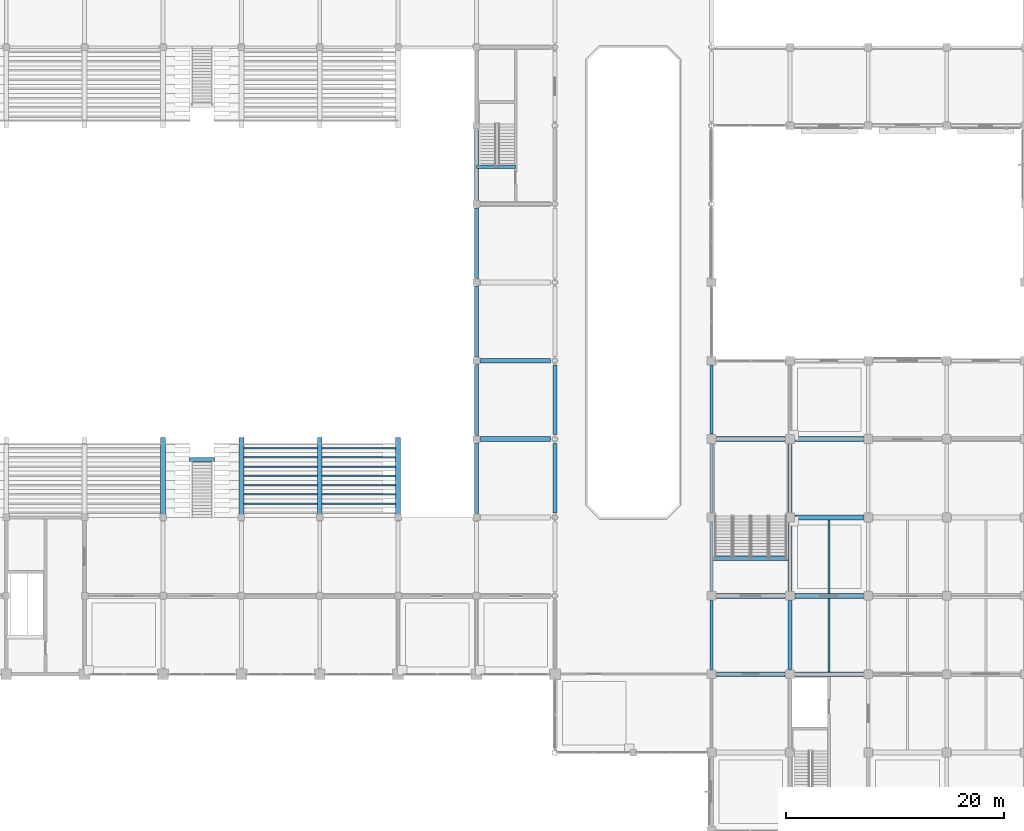
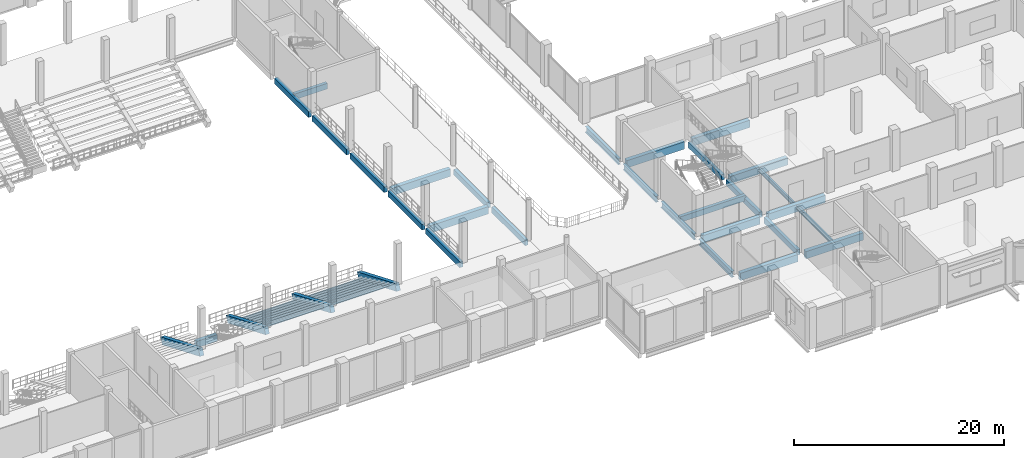
# One storey, part 19 of 99: 39 beams.
"""IFC4 building model written with IfcOpenShell, lengths in metres."""

from ifc_helpers import new_model, si_unit, direction, frame, origin, origin_2d, place, context, subcontext, project, spatial, rectangle, i_section, extrude, material, material_profile, profile_set, type_object, element, save


model = new_model("IFC4")

# Units and contexts
model_context = context("Model", 3, precision=1e-05, world=origin(), true_north=direction((0.0, 1.0)))
body_context = subcontext(model_context, "Body", "Model", "MODEL_VIEW")
ifc_project = project(units=[si_unit("LENGTHUNIT", "METRE"), si_unit("AREAUNIT", "SQUARE_METRE"), si_unit("VOLUMEUNIT", "CUBIC_METRE"), si_unit("PLANEANGLEUNIT", "RADIAN"), si_unit("MASSUNIT", "GRAM", prefix="KILO")], contexts=[model_context])

# Site, building, storey
site_placement = place(None, origin())
site = spatial("IfcSite", under=ifc_project, at=site_placement, CompositionType="ELEMENT")
building_placement = place(site_placement, origin())
building = spatial("IfcBuilding", under=site, at=building_placement, Name="Vesperath Aquatics Centre", CompositionType="ELEMENT")
storey_placement = place(building_placement, frame((0.0, 0.0, 5.39990234375)))
storey = spatial("IfcBuildingStorey", under=building, at=storey_placement, Name="L01", CompositionType="ELEMENT", Elevation=5.39990234375)

# Beams
ifc_material_1 = material(Name="Concrete C35", Category="concrete")
ifc_material_profile_1 = material_profile(ifc_material_1, rectangle(XDim=0.449951171875, YDim=0.85009765625, at=origin_2d()), Name="RC 450x850")
ifc_profile_set_1 = profile_set([ifc_material_profile_1], Name="Concrete C35")
beam_type_1 = type_object("IfcBeamType", Name="BM-G03", PredefinedType="BEAM", material=ifc_profile_set_1)
for number, where, z_axis, x_axis, name in (
    (1, (93.949951171875, 36.0, -0.684814453125), (1.0, 0.0, 0.0), (0.0, 1.0, 0.0), "Floor Girder B03 L01 F 14-15"),
    (2, (93.949951171875, 43.199951171875, -0.684814453125), (1.0, 0.0, 0.0), (0.0, 1.0, 0.0), "Floor Girder B03 L01 G 14-15"),
):
    element("IfcBeam", number, at=place(storey_placement, frame(where, z_axis=z_axis, x_axis=x_axis)), inside=storey, type_object=beam_type_1, Name=name, PredefinedType="BEAM", context=body_context, shape_type="SweptSolid", body=[
        extrude(rectangle(XDim=0.449951171875, YDim=0.85009765625, at=origin_2d()), origin(), (0.0, 0.0, 1.0), 6.449951171875),
    ])
for number, where, z_axis, x_axis, name in (
    (3, (115.64990234375, 14.39990234375, -0.684814453125), (1.0, 0.0, 0.0), (0.0, 1.0, 0.0), "Floor Girder B03 L01 C 17-18"),
    (4, (115.64990234375, 21.60009765625, -0.684814453125), (1.0, 0.0, 0.0), (0.0, 1.0, 0.0), "Floor Girder B03 L01 D 17-18"),
    (5, (115.64990234375, 36.0, -0.684814453125), (1.0, 0.0, 0.0), (0.0, 1.0, 0.0), "Floor Girder B03 L01 F 17-18"),
):
    element("IfcBeam", number, at=place(storey_placement, frame(where, z_axis=z_axis, x_axis=x_axis)), inside=storey, type_object=beam_type_1, Name=name, PredefinedType="BEAM", context=body_context, shape_type="SweptSolid", body=[
        extrude(rectangle(XDim=0.449951171875, YDim=0.85009765625, at=origin_2d()), origin(), (0.0, 0.0, 1.0), 6.300048828125),
    ])
for number, where, z_axis, x_axis, name in (
    (6, (122.85009765625, 14.39990234375, -0.684814453125), (1.0, 0.0, 0.0), (0.0, 1.0, 0.0), "Floor Girder B03 L01 C 18-19"),
    (7, (122.85009765625, 21.60009765625, -0.684814453125), (1.0, 0.0, 0.0), (0.0, 1.0, 0.0), "Floor Girder B03 L01 D 18-19"),
    (8, (122.85009765625, 28.800048828125, -0.684814453125), (1.0, 0.0, 0.0), (0.0, 1.0, 0.0), "Floor Girder B03 L01 E 18-19"),
    (9, (122.85009765625, 36.0, -0.684814453125), (1.0, 0.0, 0.0), (0.0, 1.0, 0.0), "Floor Girder B03 L01 F 18-19"),
):
    element("IfcBeam", number, at=place(storey_placement, frame(where, z_axis=z_axis, x_axis=x_axis)), inside=storey, type_object=beam_type_1, Name=name, PredefinedType="BEAM", context=body_context, shape_type="SweptSolid", body=[
        extrude(rectangle(XDim=0.449951171875, YDim=0.85009765625, at=origin_2d()), origin(), (0.0, 0.0, 1.0), 6.2998046875),
    ])
ifc_material_profile_2 = material_profile(ifc_material_1, rectangle(XDim=0.39990234375, YDim=0.75, at=origin_2d()), Name="RC 400x750")
ifc_profile_set_2 = profile_set([ifc_material_profile_2], Name="Concrete C35")
beam_type_2 = type_object("IfcBeamType", Name="BM-G04", PredefinedType="BEAM", material=ifc_profile_set_2)
beam_1_placement = place(storey_placement, frame((67.25, 34.1201171875, -3.574951171875), z_axis=(1.0, 0.0, 0.0), x_axis=(0.0, 1.0, 0.0)))
element("IfcBeam", 10, at=beam_1_placement, inside=storey, type_object=beam_type_2, Name="Vomitory VOM-03 Portal Bearer Beam B04", PredefinedType="BEAM", context=body_context, shape_type="SweptSolid", body=[
    extrude(rectangle(XDim=0.39990234375, YDim=0.75, at=origin_2d()), origin(), (0.0, 0.0, 1.0), 2.300048828125),
])
ifc_material_profile_3 = material_profile(ifc_material_1, rectangle(XDim=0.35009765625, YDim=0.64990234375, at=origin_2d()), Name="RC 350x650")
ifc_profile_set_3 = profile_set([ifc_material_profile_3], Name="Concrete C35")
beam_type_3 = type_object("IfcBeamType", Name="BM-G05", PredefinedType="BEAM", material=ifc_profile_set_3)
for number, where, z_axis, x_axis, name in (
    (11, (93.60009765625, 29.14990234375, -0.5849609375), (0.0, 1.0, 0.0), (-1.0, 0.0, 0.0), "Floor Girder B05 L01 14 E-F"),
    (12, (93.60009765625, 36.35009765625, -0.5849609375), (0.0, 1.0, 0.0), (-1.0, 0.0, 0.0), "Floor Girder B05 L01 14 F-G"),
    (13, (93.60009765625, 43.550048828125, -0.5849609375), (0.0, 1.0, 0.0), (-1.0, 0.0, 0.0), "Floor Girder B05 L01 14 G-H"),
    (14, (93.60009765625, 50.75, -0.5849609375), (0.0, 1.0, 0.0), (-1.0, 0.0, 0.0), "Floor Girder B05 L01 14 H-J"),
    (15, (93.60009765625, 57.949951171875, -0.5849609375), (0.0, 1.0, 0.0), (-1.0, 0.0, 0.0), "Floor Girder B05 L01 14 J-K"),
):
    element("IfcBeam", number, at=place(storey_placement, frame(where, z_axis=z_axis, x_axis=x_axis)), inside=storey, type_object=beam_type_3, Name=name, PredefinedType="BEAM", context=body_context, shape_type="SweptSolid", body=[
        extrude(rectangle(XDim=0.35009765625, YDim=0.64990234375, at=origin_2d()), origin(), (0.0, 0.0, 1.0), 6.5),
    ])
for number, where, z_axis, x_axis, name in (
    (16, (100.800048828125, 29.199951171875, -0.5849609375), (0.0, 1.0, 0.0), (-1.0, 0.0, 0.0), "Floor Girder B05 L01 15 E-F"),
    (17, (100.800048828125, 36.39990234375, -0.5849609375), (0.0, 1.0, 0.0), (-1.0, 0.0, 0.0), "Floor Girder B05 L01 15 F-G"),
):
    element("IfcBeam", number, at=place(storey_placement, frame(where, z_axis=z_axis, x_axis=x_axis)), inside=storey, type_object=beam_type_3, Name=name, PredefinedType="BEAM", context=body_context, shape_type="SweptSolid", body=[
        extrude(rectangle(XDim=0.35009765625, YDim=0.64990234375, at=origin_2d()), origin(), (0.0, 0.0, 1.0), 6.400146484375),
    ])
beam_2_placement = place(storey_placement, frame((122.39990234375, 14.85009765625, -0.5849609375), z_axis=(0.0, 1.0, 0.0), x_axis=(-1.0, 0.0, 0.0)))
element("IfcBeam", 18, at=beam_2_placement, inside=storey, type_object=beam_type_3, Name="Floor Girder B05 L01 18 C-D", PredefinedType="BEAM", context=body_context, shape_type="SweptSolid", body=[
    extrude(rectangle(XDim=0.35009765625, YDim=0.64990234375, at=origin_2d()), origin(), (0.0, 0.0, 1.0), 6.2998046875),
])
for number, where, z_axis, x_axis, name in (
    (19, (122.39990234375, 22.050048828125, -0.5849609375), (0.0, 1.0, 0.0), (-1.0, 0.0, 0.0), "Floor Girder B05 L01 18 D-E"),
    (20, (122.39990234375, 29.25, -0.5849609375), (0.0, 1.0, 0.0), (-1.0, 0.0, 0.0), "Floor Girder B05 L01 18 E-F"),
):
    element("IfcBeam", number, at=place(storey_placement, frame(where, z_axis=z_axis, x_axis=x_axis)), inside=storey, type_object=beam_type_3, Name=name, PredefinedType="BEAM", context=body_context, shape_type="SweptSolid", body=[
        extrude(rectangle(XDim=0.35009765625, YDim=0.64990234375, at=origin_2d()), origin(), (0.0, 0.0, 1.0), 6.300048828125),
    ])
beam_3_placement = place(storey_placement, frame((93.60009765625, 61.02001953125, -0.324951171875), z_axis=(1.0, 0.0, 0.0), x_axis=(0.0, 1.0, 0.0)))
element("IfcBeam", 21, at=beam_3_placement, inside=storey, type_object=beam_type_3, Name="Stair ST8 Landing Trimmer Beam B05 L01", PredefinedType="BEAM", context=body_context, shape_type="SweptSolid", body=[
    extrude(rectangle(XDim=0.35009765625, YDim=0.64990234375, at=origin_2d()), origin(), (0.0, 0.0, 1.0), 3.599853515625),
])
beam_4_placement = place(storey_placement, frame((115.199951171875, 25.02001953125, -0.324951171875), z_axis=(1.0, 0.0, 0.0), x_axis=(0.0, 1.0, 0.0)))
element("IfcBeam", 22, at=beam_4_placement, inside=storey, type_object=beam_type_3, Name="Stair ST7 Landing Trimmer Beam B05 L01", PredefinedType="BEAM", context=body_context, shape_type="SweptSolid", body=[
    extrude(rectangle(XDim=0.35009765625, YDim=0.64990234375, at=origin_2d()), origin(), (0.0, 0.0, 1.0), 7.199951171875),
])
ifc_material_2 = material(Name="Steel Q355C", Category="steel")
ifc_material_profile_4 = material_profile(ifc_material_2, i_section(OverallWidth=0.300048828125, OverallDepth=0.699951171875, WebThickness=0.012939453125, FlangeThickness=0.02392578125, FilletRadius=0.028076171875, at=origin_2d()), Name="HN 700x300x13x24")
ifc_profile_set_4 = profile_set([ifc_material_profile_4], Name="Steel Q355C")
beam_type_4 = type_object("IfcBeamType", Name="BM-G08", PredefinedType="BEAM", material=ifc_profile_set_4)
beam_5_placement = place(storey_placement, frame((115.199951171875, 14.85009765625, -0.60986328125), z_axis=(0.0, 1.0, 0.0), x_axis=(-1.0, 0.0, 0.0)))
element("IfcBeam", 23, at=beam_5_placement, inside=storey, type_object=beam_type_4, Name="Floor Girder B08 L01 17 C-D", PredefinedType="BEAM", context=body_context, shape_type="SweptSolid", body=[
    extrude(i_section(OverallWidth=0.300048828125, OverallDepth=0.699951171875, WebThickness=0.012939453125, FlangeThickness=0.02392578125, FilletRadius=0.028076171875, at=origin_2d()), origin(), (0.0, 0.0, 1.0), 6.2998046875),
])
for number, where, z_axis, x_axis, name in (
    (24, (115.199951171875, 22.050048828125, -0.60986328125), (0.0, 1.0, 0.0), (-1.0, 0.0, 0.0), "Floor Girder B08 L01 17 D-E"),
    (25, (115.199951171875, 29.25, -0.60986328125), (0.0, 1.0, 0.0), (-1.0, 0.0, 0.0), "Floor Girder B08 L01 17 E-F"),
    (26, (115.199951171875, 36.449951171875, -0.60986328125), (0.0, 1.0, 0.0), (-1.0, 0.0, 0.0), "Floor Girder B08 L01 17 F-G"),
):
    element("IfcBeam", number, at=place(storey_placement, frame(where, z_axis=z_axis, x_axis=x_axis)), inside=storey, type_object=beam_type_4, Name=name, PredefinedType="BEAM", context=body_context, shape_type="SweptSolid", body=[
        extrude(i_section(OverallWidth=0.300048828125, OverallDepth=0.699951171875, WebThickness=0.012939453125, FlangeThickness=0.02392578125, FilletRadius=0.028076171875, at=origin_2d()), origin(), (0.0, 0.0, 1.0), 6.300048828125),
    ])
ifc_material_profile_5 = material_profile(ifc_material_2, i_section(OverallWidth=0.199951171875, OverallDepth=0.5, WebThickness=0.010009765625, FlangeThickness=0.01611328125, FilletRadius=0.02001953125, at=origin_2d()), Name="HN 500x200x10x16")
ifc_profile_set_5 = profile_set([ifc_material_profile_5], Name="Steel Q355C")
beam_type_5 = type_object("IfcBeamType", Name="BM-J02", PredefinedType="JOIST", material=ifc_profile_set_5)
for number, where, z_axis, x_axis, name in (
    (27, (126.0, 14.625, -0.510009765625), (0.0, 1.0, 0.0), (-1.0, 0.0, 0.0), "Secondary Floor Joist J02 L01 18/C"),
    (28, (126.0, 21.824951171875, -0.510009765625), (0.0, 1.0, 0.0), (-1.0, 0.0, 0.0), "Secondary Floor Joist J02 L01 18/D"),
):
    element("IfcBeam", number, at=place(storey_placement, frame(where, z_axis=z_axis, x_axis=x_axis)), inside=storey, type_object=beam_type_5, Name=name, PredefinedType="JOIST", context=body_context, shape_type="SweptSolid", body=[
        extrude(i_section(OverallWidth=0.199951171875, OverallDepth=0.5, WebThickness=0.010009765625, FlangeThickness=0.01611328125, FilletRadius=0.02001953125, at=origin_2d()), origin(), (0.0, 0.0, 1.0), 6.75),
    ])
ifc_material_profile_6 = material_profile(ifc_material_2, i_section(OverallWidth=0.14990234375, OverallDepth=0.300048828125, WebThickness=0.006591796875, FlangeThickness=0.009033203125, FilletRadius=0.012939453125, at=origin_2d()), Name="HN 300x150x6.5x9")
ifc_profile_set_6 = profile_set([ifc_material_profile_6], Name="Steel Q355C")
beam_type_6 = type_object("IfcBeamType", Name="BM-J06", PredefinedType="JOIST", material=ifc_profile_set_6)
for number, where, z_axis, x_axis, name in (
    (29, (72.0, 30.074951171875, -0.929931640625), (1.0, 0.0, 0.0), (0.0, 1.0, 0.0), "Lower Tier Bearer Beam J06 S-R2-B4M"),
    (30, (72.0, 30.925048828125, -1.329833984375), (1.0, 0.0, 0.0), (0.0, 1.0, 0.0), "Lower Tier Bearer Beam J06 S-R3-B4M"),
    (31, (72.0, 31.77490234375, -1.72998046875), (1.0, 0.0, 0.0), (0.0, 1.0, 0.0), "Lower Tier Bearer Beam J06 S-R4-B4M"),
    (32, (72.0, 32.625, -2.1298828125), (1.0, 0.0, 0.0), (0.0, 1.0, 0.0), "Lower Tier Bearer Beam J06 S-R5-B4M"),
    (33, (72.0, 33.47509765625, -2.52978515625), (1.0, 0.0, 0.0), (0.0, 1.0, 0.0), "Lower Tier Bearer Beam J06 S-R6-B4M"),
    (34, (72.0, 34.324951171875, -2.929931640625), (1.0, 0.0, 0.0), (0.0, 1.0, 0.0), "Lower Tier Bearer Beam J06 S-R7-B4M"),
    (35, (72.0, 35.175048828125, -3.329833984375), (1.0, 0.0, 0.0), (0.0, 1.0, 0.0), "Lower Tier Bearer Beam J06 S-R8-B4M"),
):
    element("IfcBeam", number, at=place(storey_placement, frame(where, z_axis=z_axis, x_axis=x_axis)), inside=storey, type_object=beam_type_6, Name=name, PredefinedType="JOIST", context=body_context, shape_type="SweptSolid", body=[
        extrude(i_section(OverallWidth=0.14990234375, OverallDepth=0.300048828125, WebThickness=0.006591796875, FlangeThickness=0.009033203125, FilletRadius=0.012939453125, at=origin_2d()), origin(), (0.0, 0.0, 1.0), 14.39990234375),
    ])
ifc_material_profile_7 = material_profile(ifc_material_1, rectangle(XDim=0.449951171875, YDim=0.800048828125, at=origin_2d()), Name="RC 450x800")
ifc_profile_set_7 = profile_set([ifc_material_profile_7], Name="Concrete C35")
beam_type_7 = type_object("IfcBeamType", Name="BM-RK01", PredefinedType="USERDEFINED", material=ifc_profile_set_7)
for number, where, z_axis, x_axis, name in (
    (36, (64.800048828125, 28.800048828125, -0.449951171875), (0.0, 0.923075997031, -0.384617607118), (-1.0, 0.0, 0.0), "Lower Stand RAKER Beam RK01 South 10"),
    (37, (72.0, 28.800048828125, -0.449951171875), (0.0, 0.923075997031, -0.384617607118), (-1.0, 0.0, 0.0), "Lower Stand RAKER Beam RK01 South 11"),
    (38, (79.199951171875, 28.800048828125, -0.449951171875), (0.0, 0.923075997031, -0.384617607118), (-1.0, 0.0, 0.0), "Lower Stand RAKER Beam RK01 South 12"),
    (39, (86.39990234375, 28.800048828125, -0.449951171875), (0.0, 0.923075997031, -0.384617607118), (-1.0, 0.0, 0.0), "Lower Stand RAKER Beam RK01 South 13"),
):
    element("IfcBeam", number, at=place(storey_placement, frame(where, z_axis=z_axis, x_axis=x_axis)), inside=storey, type_object=beam_type_7, Name=name, ObjectType="RAKER", PredefinedType="USERDEFINED", context=body_context, shape_type="SweptSolid", body=[
        extrude(rectangle(XDim=0.449951171875, YDim=0.800048828125, at=origin_2d()), origin(), (0.0, 0.0, 1.0), 7.800048828125),
    ])

save(model, "model.ifc")
